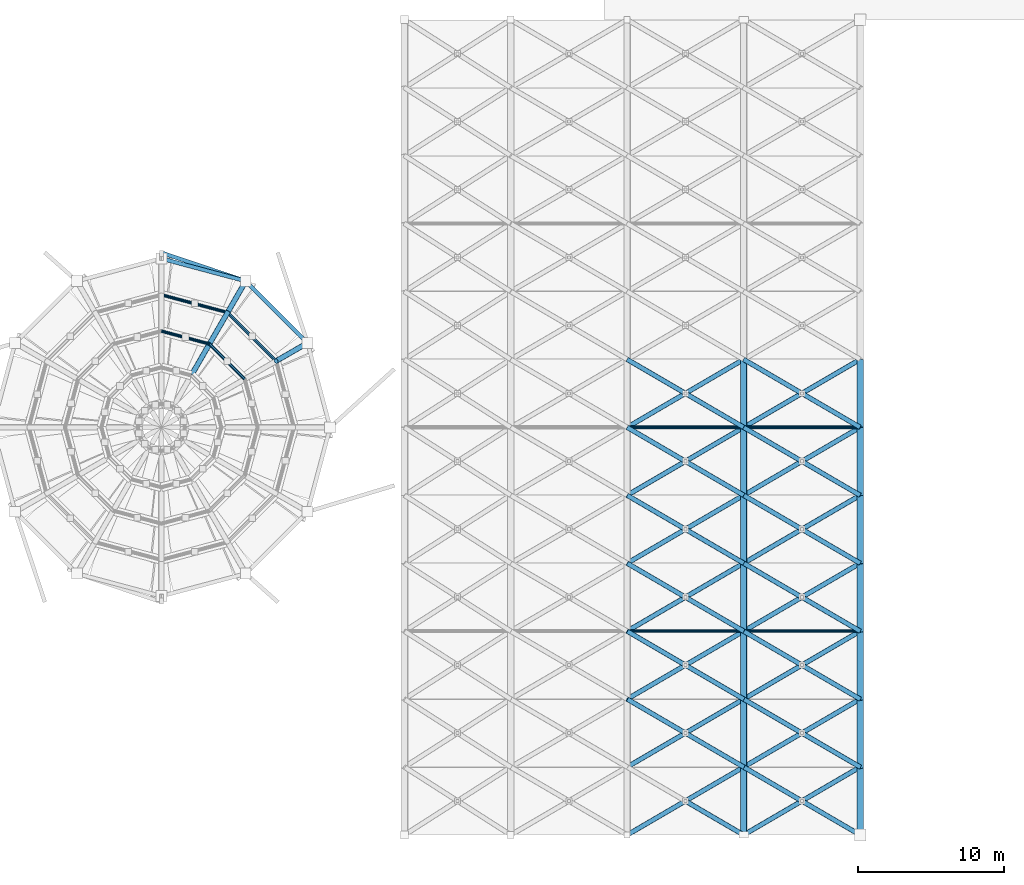
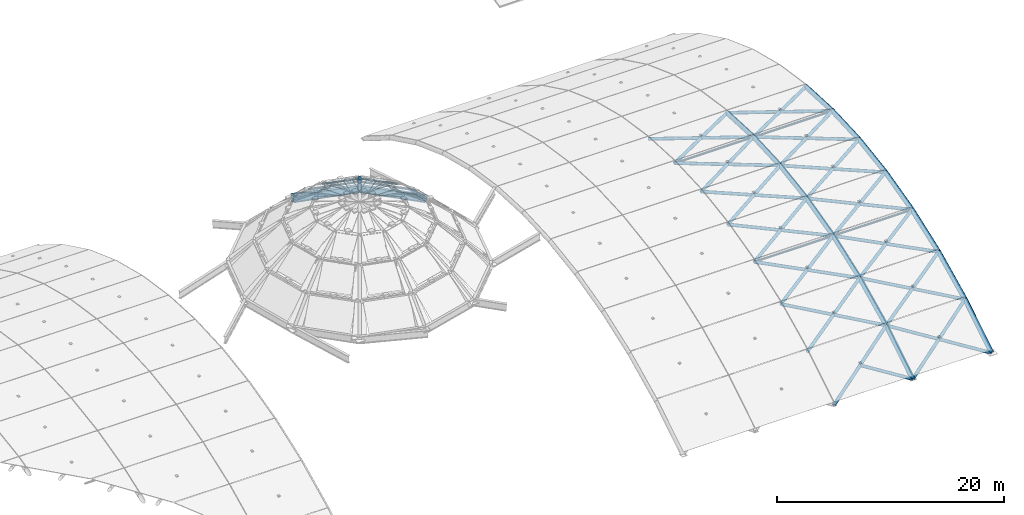
# One storey, part 9 of 21: 67 members, 3 beams.
"""IFC4 building model written with IfcOpenShell, lengths in metres."""

from ifc_helpers import new_model, si_unit, direction, frame, origin, origin_2d, place, context, subcontext, project, spatial, hollow_circle, i_section, extrude, material, material_profile, profile_set, type_object, element, save


model = new_model("IFC4")

# Units and contexts
model_context = context("Model", 3, precision=1e-05, world=origin(), true_north=direction((0.0, 1.0)))
body_context = subcontext(model_context, "Body", "Model", "MODEL_VIEW")
ifc_project = project(units=[si_unit("LENGTHUNIT", "METRE"), si_unit("AREAUNIT", "SQUARE_METRE"), si_unit("VOLUMEUNIT", "CUBIC_METRE"), si_unit("PLANEANGLEUNIT", "RADIAN"), si_unit("MASSUNIT", "GRAM", prefix="KILO")], contexts=[model_context])

# Site, building, storey
site_placement = place(None, origin())
site = spatial("IfcSite", under=ifc_project, at=site_placement, CompositionType="ELEMENT")
building_placement = place(site_placement, origin())
building = spatial("IfcBuilding", under=site, at=building_placement, Name="Solmirada Galleria", CompositionType="ELEMENT")
storey_placement = place(building_placement, frame((0.0, 0.0, 37.5)))
storey = spatial("IfcBuildingStorey", under=building, at=storey_placement, Name="RF", CompositionType="ELEMENT", Elevation=37.5)

# Beams
ifc_material_1 = material(Name="Steel S355 / ASTM A992 Grade 50", Category="steel")
ifc_material_profile_1 = material_profile(ifc_material_1, i_section(OverallWidth=0.26708984375, OverallDepth=0.779052734375, WebThickness=0.0166015625, FlangeThickness=0.030029296875, FilletRadius=0.01904296875, at=origin_2d()), Name="W30X148")
ifc_profile_set_1 = profile_set([ifc_material_profile_1], Name="Steel S355 / ASTM A992 Grade 50")
beam_type = type_object("IfcBeamType", Name="BM-DOME-RING", PredefinedType="BEAM", material=ifc_profile_set_1)
beam_1_placement = place(storey_placement, frame((106.0458984375, 65.800048828125, 0.0), z_axis=(-0.707106781187, 0.707106781187, 0.0), x_axis=(-0.707106781187, -0.707106781187, 0.0)))
element("IfcBeam", 1, at=beam_1_placement, inside=storey, type_object=beam_type, Name="Atrium dome tension ring beam 2", PredefinedType="BEAM", context=body_context, shape_type="SweptSolid", body=[
    extrude(i_section(OverallWidth=0.26708984375, OverallDepth=0.779052734375, WebThickness=0.0166015625, FlangeThickness=0.030029296875, FilletRadius=0.01904296875, at=origin_2d()), origin(), (0.0, 0.0, 1.0), 6.004638671875),
])
beam_2_placement = place(storey_placement, frame((96.0, 72.0, -0.14990234375), z_axis=(0.947377090434, -0.319181977179, 0.024484974261), x_axis=(0.319277697246, 0.947661201085, 0.0)))
element("IfcBeam", 2, at=beam_2_placement, inside=storey, type_object=beam_type, Name="Atrium dome drum anchor beam 3", PredefinedType="BEAM", context=body_context, shape_type="SweptSolid", body=[
    extrude(i_section(OverallWidth=0.26708984375, OverallDepth=0.779052734375, WebThickness=0.0166015625, FlangeThickness=0.030029296875, FilletRadius=0.01904296875, at=origin_2d()), origin(), (0.0, 0.0, 1.0), 6.122314453125),
])
beam_3_placement = place(storey_placement, frame((101.800048828125, 70.0458984375, 0.0), z_axis=(-0.965922461362, 0.258831602855, 0.0), x_axis=(-0.258831602855, -0.965922461362, 0.0)))
element("IfcBeam", 3, at=beam_3_placement, inside=storey, type_object=beam_type, Name="Atrium dome tension ring beam 3", PredefinedType="BEAM", context=body_context, shape_type="SweptSolid", body=[
    extrude(i_section(OverallWidth=0.26708984375, OverallDepth=0.779052734375, WebThickness=0.0166015625, FlangeThickness=0.030029296875, FilletRadius=0.01904296875, at=origin_2d()), origin(), (0.0, 0.0, 1.0), 6.004638671875),
])

# Members
ifc_material_2 = material(Name="Steel S355 / ASTM A500 Grade C", Category="steel")
ifc_material_profile_2 = material_profile(ifc_material_2, hollow_circle(Radius=0.109619140625, WallThickness=0.007568359375, at=origin_2d()), Name="HSS8.625X0.322")
ifc_profile_set_2 = profile_set([ifc_material_profile_2], Name="Steel S355 / ASTM A500 Grade C")
member_type_1 = type_object("IfcMemberType", Name="MEM-DOME-PURL", PredefinedType="PURLIN", material=ifc_profile_set_2)
for number, where, z_axis, x_axis, name in (
    (4, (128.0, 46.0, -2.471923828125), (1.0, 0.0, 0.0), (0.0, 1.0, 0.0), "Barrel gridshell longitudinal tie E02-03"),
    (5, (128.0, 60.0, -0.360107421875), (1.0, 0.0, 0.0), (0.0, 1.0, 0.0), "Barrel gridshell longitudinal tie E02-06"),
    (6, (136.0, 46.0, -2.471923828125), (1.0, 0.0, 0.0), (0.0, 1.0, 0.0), "Barrel gridshell longitudinal tie E03-03"),
    (7, (136.0, 60.0, -0.360107421875), (1.0, 0.0, 0.0), (0.0, 1.0, 0.0), "Barrel gridshell longitudinal tie E03-06"),
):
    element("IfcMember", number, at=place(storey_placement, frame(where, z_axis=z_axis, x_axis=x_axis)), inside=storey, type_object=member_type_1, Name=name, PredefinedType="PURLIN", context=body_context, shape_type="SweptSolid", body=[
        extrude(hollow_circle(Radius=0.109619140625, WallThickness=0.007568359375, at=origin_2d()), origin(), (0.0, 0.0, 1.0), 8.0),
    ])
for number, where, z_axis, x_axis, name in (
    (8, (103.885986328125, 64.552978515625, 2.4873046875), (-0.707106781187, 0.707106781187, 0.0), (-0.707106781187, -0.707106781187, 0.0), "Atrium dome latitude ring purlin 2.1"),
    (9, (100.552978515625, 67.885986328125, 2.4873046875), (-0.965925625449, 0.258819794647, 0.0), (-0.258819794647, -0.965925625449, 0.0), "Atrium dome latitude ring purlin 3.1"),
):
    element("IfcMember", number, at=place(storey_placement, frame(where, z_axis=z_axis, x_axis=x_axis)), inside=storey, type_object=member_type_1, Name=name, PredefinedType="PURLIN", context=body_context, shape_type="SweptSolid", body=[
        extrude(hollow_circle(Radius=0.109619140625, WallThickness=0.007568359375, at=origin_2d()), origin(), (0.0, 0.0, 1.0), 4.713623046875),
    ])
member_1_placement = place(storey_placement, frame((101.726318359375, 63.305908203125, 4.59619140625), z_axis=(-0.707106781187, 0.707106781187, 0.0), x_axis=(-0.707106781187, -0.707106781187, 0.0)))
element("IfcMember", 10, at=member_1_placement, inside=storey, type_object=member_type_1, Name="Atrium dome latitude ring purlin 2.2", PredefinedType="PURLIN", context=body_context, shape_type="SweptSolid", body=[
    extrude(hollow_circle(Radius=0.109619140625, WallThickness=0.007568359375, at=origin_2d()), origin(), (0.0, 0.0, 1.0), 3.423095703125),
])
member_2_placement = place(storey_placement, frame((99.305908203125, 65.726318359375, 4.59619140625), z_axis=(-0.965931176381, 0.258799077462, 0.0), x_axis=(-0.258799077462, -0.965931176381, 0.0)))
element("IfcMember", 11, at=member_2_placement, inside=storey, type_object=member_type_1, Name="Atrium dome latitude ring purlin 3.2", PredefinedType="PURLIN", context=body_context, shape_type="SweptSolid", body=[
    extrude(hollow_circle(Radius=0.109619140625, WallThickness=0.007568359375, at=origin_2d()), origin(), (0.0, 0.0, 1.0), 3.422607421875),
])
ifc_material_profile_3 = material_profile(ifc_material_2, hollow_circle(Radius=0.177978515625, WallThickness=0.01171875, at=origin_2d()), Name="HSS14.000X0.500")
ifc_profile_set_3 = profile_set([ifc_material_profile_3], Name="Steel S355 / ASTM A500 Grade C")
member_type_2 = type_object("IfcMemberType", Name="MEM-DOME-RIB", PredefinedType="RAFTER", material=ifc_profile_set_3)
for number, where, z_axis, x_axis, name in (
    (12, (106.0458984375, 65.800048828125, 0.0), (-0.613198558699, -0.354042979296, 0.706145237484), (0.500013374061, -0.866017682129, 0.0), "Atrium dome meridian rib 2.1"),
    (13, (101.800048828125, 70.0458984375, 0.0), (-0.354042979296, -0.613198558699, 0.706145237484), (0.866017682129, -0.500013374061, 0.0), "Atrium dome meridian rib 3.1"),
):
    element("IfcMember", number, at=place(storey_placement, frame(where, z_axis=z_axis, x_axis=x_axis)), inside=storey, type_object=member_type_2, Name=name, PredefinedType="RAFTER", context=body_context, shape_type="SweptSolid", body=[
        extrude(hollow_circle(Radius=0.177978515625, WallThickness=0.01171875, at=origin_2d()), origin(), (0.0, 0.0, 1.0), 3.5224609375),
    ])
member_3_placement = place(storey_placement, frame((100.552978515625, 67.885986328125, 2.4873046875), z_axis=(-0.381834191915, -0.661257882083, 0.645709426343), x_axis=(0.865993205636, -0.500055764683, 0.0)))
element("IfcMember", 14, at=member_3_placement, inside=storey, type_object=member_type_2, Name="Atrium dome meridian rib 3.2", PredefinedType="RAFTER", context=body_context, shape_type="SweptSolid", body=[
    extrude(hollow_circle(Radius=0.177978515625, WallThickness=0.01171875, at=origin_2d()), origin(), (0.0, 0.0, 1.0), 3.26611328125),
])
member_4_placement = place(storey_placement, frame((99.305908203125, 65.726318359375, 4.59619140625), z_axis=(-0.435280679452, -0.754048985924, 0.491874838676), x_axis=(0.866060068719, -0.499939953764, 0.0)))
element("IfcMember", 15, at=member_4_placement, inside=storey, type_object=member_type_2, Name="Atrium dome meridian rib 3.3", PredefinedType="RAFTER", context=body_context, shape_type="SweptSolid", body=[
    extrude(hollow_circle(Radius=0.177978515625, WallThickness=0.01171875, at=origin_2d()), origin(), (0.0, 0.0, 1.0), 2.864501953125),
])
ifc_material_profile_4 = material_profile(ifc_material_2, hollow_circle(Radius=0.228515625, WallThickness=0.01171875, at=origin_2d()), Name="HSS18.000X0.500")
ifc_profile_set_4 = profile_set([ifc_material_profile_4], Name="Steel S355 / ASTM A500 Grade C")
member_type_3 = type_object("IfcMemberType", Name="MEM-VAULT-ARCH2", PredefinedType="RAFTER", material=ifc_profile_set_4)
member_5_placement = place(storey_placement, frame((136.0, 32.0, -9.360107421875), z_axis=(0.0, 0.847856236134, 0.53022618084), x_axis=(-1.0, 0.0, 0.0)))
element("IfcMember", 16, at=member_5_placement, inside=storey, type_object=member_type_3, Name="Barrel vault arch rib E03-00", PredefinedType="RAFTER", context=body_context, shape_type="SweptSolid", body=[
    extrude(hollow_circle(Radius=0.228515625, WallThickness=0.01171875, at=origin_2d()), origin(), (0.0, 0.0, 1.0), 5.504150390625),
])
member_6_placement = place(storey_placement, frame((136.0, 36.666748046875, -6.441650390625), z_axis=(0.0, 0.899303609311, 0.437324842971), x_axis=(-1.0, 0.0, 0.0)))
element("IfcMember", 17, at=member_6_placement, inside=storey, type_object=member_type_3, Name="Barrel vault arch rib E03-01", PredefinedType="RAFTER", context=body_context, shape_type="SweptSolid", body=[
    extrude(hollow_circle(Radius=0.228515625, WallThickness=0.01171875, at=origin_2d()), origin(), (0.0, 0.0, 1.0), 5.18896484375),
])
member_7_placement = place(storey_placement, frame((136.0, 41.333251953125, -4.17236328125), z_axis=(0.0, 0.939570777515, 0.342354719612), x_axis=(-1.0, 0.0, 0.0)))
element("IfcMember", 18, at=member_7_placement, inside=storey, type_object=member_type_3, Name="Barrel vault arch rib E03-02", PredefinedType="RAFTER", context=body_context, shape_type="SweptSolid", body=[
    extrude(hollow_circle(Radius=0.228515625, WallThickness=0.01171875, at=origin_2d()), origin(), (0.0, 0.0, 1.0), 4.966796875),
])
member_8_placement = place(storey_placement, frame((136.0, 46.0, -2.471923828125), z_axis=(0.0, 0.969334768515, 0.245743985782), x_axis=(-1.0, 0.0, 0.0)))
element("IfcMember", 19, at=member_8_placement, inside=storey, type_object=member_type_3, Name="Barrel vault arch rib E03-03", PredefinedType="RAFTER", context=body_context, shape_type="SweptSolid", body=[
    extrude(hollow_circle(Radius=0.228515625, WallThickness=0.01171875, at=origin_2d()), origin(), (0.0, 0.0, 1.0), 4.814453125),
])
member_9_placement = place(storey_placement, frame((136.0, 50.666748046875, -1.288818359375), z_axis=(0.0, 0.988997751156, 0.14793055198), x_axis=(-1.0, 0.0, 0.0)))
element("IfcMember", 20, at=member_9_placement, inside=storey, type_object=member_type_3, Name="Barrel vault arch rib E03-04", PredefinedType="RAFTER", context=body_context, shape_type="SweptSolid", body=[
    extrude(hollow_circle(Radius=0.228515625, WallThickness=0.01171875, at=origin_2d()), origin(), (0.0, 0.0, 1.0), 4.718505859375),
])
for number, where, z_axis, x_axis, name in (
    (21, (136.0, 55.333251953125, -0.5908203125), (0.0, 0.998780196655, 0.049377310271), (-1.0, 0.0, 0.0), "Barrel vault arch rib E03-05"),
    (22, (136.0, 60.0, -0.360107421875), (0.0, 0.998780196655, -0.049377310271), (-1.0, 0.0, 0.0), "Barrel vault arch rib E03-06"),
):
    element("IfcMember", number, at=place(storey_placement, frame(where, z_axis=z_axis, x_axis=x_axis)), inside=storey, type_object=member_type_3, Name=name, PredefinedType="RAFTER", context=body_context, shape_type="SweptSolid", body=[
        extrude(hollow_circle(Radius=0.228515625, WallThickness=0.01171875, at=origin_2d()), origin(), (0.0, 0.0, 1.0), 4.67236328125),
    ])
member_10_placement = place(storey_placement, frame((144.0, 32.0, -9.360107421875), z_axis=(0.0, 0.847856236134, 0.53022618084), x_axis=(-1.0, 0.0, 0.0)))
element("IfcMember", 23, at=member_10_placement, inside=storey, type_object=member_type_3, Name="Barrel vault arch rib E04-00", PredefinedType="RAFTER", context=body_context, shape_type="SweptSolid", body=[
    extrude(hollow_circle(Radius=0.228515625, WallThickness=0.01171875, at=origin_2d()), origin(), (0.0, 0.0, 1.0), 5.504150390625),
])
member_11_placement = place(storey_placement, frame((144.0, 36.666748046875, -6.441650390625), z_axis=(0.0, 0.899303609311, 0.437324842971), x_axis=(-1.0, 0.0, 0.0)))
element("IfcMember", 24, at=member_11_placement, inside=storey, type_object=member_type_3, Name="Barrel vault arch rib E04-01", PredefinedType="RAFTER", context=body_context, shape_type="SweptSolid", body=[
    extrude(hollow_circle(Radius=0.228515625, WallThickness=0.01171875, at=origin_2d()), origin(), (0.0, 0.0, 1.0), 5.18896484375),
])
member_12_placement = place(storey_placement, frame((144.0, 41.333251953125, -4.17236328125), z_axis=(0.0, 0.939570777515, 0.342354719612), x_axis=(-1.0, 0.0, 0.0)))
element("IfcMember", 25, at=member_12_placement, inside=storey, type_object=member_type_3, Name="Barrel vault arch rib E04-02", PredefinedType="RAFTER", context=body_context, shape_type="SweptSolid", body=[
    extrude(hollow_circle(Radius=0.228515625, WallThickness=0.01171875, at=origin_2d()), origin(), (0.0, 0.0, 1.0), 4.966796875),
])
member_13_placement = place(storey_placement, frame((144.0, 46.0, -2.471923828125), z_axis=(0.0, 0.969334768515, 0.245743985782), x_axis=(-1.0, 0.0, 0.0)))
element("IfcMember", 26, at=member_13_placement, inside=storey, type_object=member_type_3, Name="Barrel vault arch rib E04-03", PredefinedType="RAFTER", context=body_context, shape_type="SweptSolid", body=[
    extrude(hollow_circle(Radius=0.228515625, WallThickness=0.01171875, at=origin_2d()), origin(), (0.0, 0.0, 1.0), 4.814453125),
])
member_14_placement = place(storey_placement, frame((144.0, 50.666748046875, -1.288818359375), z_axis=(0.0, 0.988997751156, 0.14793055198), x_axis=(-1.0, 0.0, 0.0)))
element("IfcMember", 27, at=member_14_placement, inside=storey, type_object=member_type_3, Name="Barrel vault arch rib E04-04", PredefinedType="RAFTER", context=body_context, shape_type="SweptSolid", body=[
    extrude(hollow_circle(Radius=0.228515625, WallThickness=0.01171875, at=origin_2d()), origin(), (0.0, 0.0, 1.0), 4.718505859375),
])
for number, where, z_axis, x_axis, name in (
    (28, (144.0, 55.333251953125, -0.5908203125), (0.0, 0.998780196655, 0.049377310271), (-1.0, 0.0, 0.0), "Barrel vault arch rib E04-05"),
    (29, (144.0, 60.0, -0.360107421875), (0.0, 0.998780196655, -0.049377310271), (-1.0, 0.0, 0.0), "Barrel vault arch rib E04-06"),
):
    element("IfcMember", number, at=place(storey_placement, frame(where, z_axis=z_axis, x_axis=x_axis)), inside=storey, type_object=member_type_3, Name=name, PredefinedType="RAFTER", context=body_context, shape_type="SweptSolid", body=[
        extrude(hollow_circle(Radius=0.228515625, WallThickness=0.01171875, at=origin_2d()), origin(), (0.0, 0.0, 1.0), 4.67236328125),
    ])
ifc_material_profile_5 = material_profile(ifc_material_2, hollow_circle(Radius=0.162109375, WallThickness=0.0087890625, at=origin_2d()), Name="HSS12.750X0.375")
ifc_profile_set_5 = profile_set([ifc_material_profile_5], Name="Steel S355 / ASTM A500 Grade C")
member_type_4 = type_object("IfcMemberType", Name="MEM-VAULT-DIAG", PredefinedType="BRACE", material=ifc_profile_set_5)
member_15_placement = place(storey_placement, frame((128.0, 32.0, -9.360107421875), z_axis=(0.823841216452, 0.480582423477, 0.300543148849), x_axis=(-0.503877581445, 0.863775076578, 0.0)))
element("IfcMember", 30, at=member_15_placement, inside=storey, type_object=member_type_4, Name="Barrel gridshell continuous diagonal E02-00", PredefinedType="BRACE", context=body_context, shape_type="SweptSolid", body=[
    extrude(hollow_circle(Radius=0.162109375, WallThickness=0.0087890625, at=origin_2d()), origin(), (0.0, 0.0, 1.0), 9.710693359375),
])
member_16_placement = place(storey_placement, frame((132.0, 34.333251953125, -7.90087890625), z_axis=(0.823851170541, -0.480563088187, -0.300546780171), x_axis=(0.503857913421, 0.863786549492, 0.0)))
element("IfcMember", 31, at=member_16_placement, inside=storey, type_object=member_type_4, Name="Barrel gridshell split diagonal B2 E02-00", PredefinedType="BRACE", context=body_context, shape_type="SweptSolid", body=[
    extrude(hollow_circle(Radius=0.162109375, WallThickness=0.0087890625, at=origin_2d()), origin(), (0.0, 0.0, 1.0), 4.855224609375),
])
member_17_placement = place(storey_placement, frame((128.0, 36.666748046875, -6.441650390625), z_axis=(0.838969414701, 0.489381756366, 0.237982809743), x_axis=(-0.503857913421, 0.863786549492, 0.0)))
element("IfcMember", 32, at=member_17_placement, inside=storey, type_object=member_type_4, Name="Barrel gridshell continuous diagonal E02-01", PredefinedType="BRACE", context=body_context, shape_type="SweptSolid", body=[
    extrude(hollow_circle(Radius=0.162109375, WallThickness=0.0087890625, at=origin_2d()), origin(), (0.0, 0.0, 1.0), 9.535400390625),
])
for number, where, z_axis, x_axis, name in (
    (33, (128.0, 41.333251953125, -4.17236328125), (0.838974526438, -0.489384738108, -0.237958656272), (0.503857913421, 0.863786549492, 0.0), "Barrel gridshell split diagonal B1 E02-01"),
    (34, (132.0, 39.0, -5.306884765625), (0.838964302507, -0.489378774357, -0.238006962772), (0.503857913421, 0.863786549492, 0.0), "Barrel gridshell split diagonal B2 E02-01"),
):
    element("IfcMember", number, at=place(storey_placement, frame(where, z_axis=z_axis, x_axis=x_axis)), inside=storey, type_object=member_type_4, Name=name, PredefinedType="BRACE", context=body_context, shape_type="SweptSolid", body=[
        extrude(hollow_circle(Radius=0.162109375, WallThickness=0.0087890625, at=origin_2d()), origin(), (0.0, 0.0, 1.0), 4.767822265625),
    ])
member_18_placement = place(storey_placement, frame((128.0, 41.333251953125, -4.17236328125), z_axis=(0.84957466948, 0.495593866184, 0.180581285795), x_axis=(-0.503877581445, 0.863775076578, 0.0)))
element("IfcMember", 35, at=member_18_placement, inside=storey, type_object=member_type_4, Name="Barrel gridshell continuous diagonal E02-02", PredefinedType="BRACE", context=body_context, shape_type="SweptSolid", body=[
    extrude(hollow_circle(Radius=0.162109375, WallThickness=0.0087890625, at=origin_2d()), origin(), (0.0, 0.0, 1.0), 9.41650390625),
])
for number, where, z_axis, x_axis, name in (
    (36, (128.0, 46.0, -2.471923828125), (0.849581607741, -0.4955719864, -0.18060868773), (0.503857913421, 0.863786549492, 0.0), "Barrel gridshell split diagonal B1 E02-02"),
    (37, (132.0, 43.666748046875, -3.322265625), (0.849567730246, -0.495615744977, -0.180553884077), (0.503897248685, 0.863763603521, 0.0), "Barrel gridshell split diagonal B2 E02-02"),
):
    element("IfcMember", number, at=place(storey_placement, frame(where, z_axis=z_axis, x_axis=x_axis)), inside=storey, type_object=member_type_4, Name=name, PredefinedType="BRACE", context=body_context, shape_type="SweptSolid", body=[
        extrude(hollow_circle(Radius=0.162109375, WallThickness=0.0087890625, at=origin_2d()), origin(), (0.0, 0.0, 1.0), 4.708251953125),
    ])
member_19_placement = place(storey_placement, frame((128.0, 46.0, -2.471923828125), z_axis=(0.856812609173, 0.499816071299, 0.126712460451), x_axis=(-0.503877581445, 0.863775076578, 0.0)))
element("IfcMember", 38, at=member_19_placement, inside=storey, type_object=member_type_4, Name="Barrel gridshell continuous diagonal E02-03", PredefinedType="BRACE", context=body_context, shape_type="SweptSolid", body=[
    extrude(hollow_circle(Radius=0.162109375, WallThickness=0.0087890625, at=origin_2d()), origin(), (0.0, 0.0, 1.0), 9.3369140625),
])
for number, where, z_axis, x_axis, name in (
    (39, (128.0, 50.666748046875, -1.288818359375), (0.856801411318, -0.499835686608, -0.12671080442), (0.503897248685, 0.863763603521, 0.0), "Barrel gridshell split diagonal B1 E02-03"),
    (40, (132.0, 48.333251953125, -1.88037109375), (0.856823806881, -0.499796455222, -0.126714116459), (0.503857913421, 0.863786549492, 0.0), "Barrel gridshell split diagonal B2 E02-03"),
):
    element("IfcMember", number, at=place(storey_placement, frame(where, z_axis=z_axis, x_axis=x_axis)), inside=storey, type_object=member_type_4, Name=name, PredefinedType="BRACE", context=body_context, shape_type="SweptSolid", body=[
        extrude(hollow_circle(Radius=0.162109375, WallThickness=0.0087890625, at=origin_2d()), origin(), (0.0, 0.0, 1.0), 4.66845703125),
    ])
member_20_placement = place(storey_placement, frame((128.0, 50.666748046875, -1.288818359375), z_axis=(0.861343836227, 0.502433047047, 0.075152039422), x_axis=(-0.503857913421, 0.863786549492, 0.0)))
element("IfcMember", 41, at=member_20_placement, inside=storey, type_object=member_type_4, Name="Barrel gridshell continuous diagonal E02-04", PredefinedType="BRACE", context=body_context, shape_type="SweptSolid", body=[
    extrude(hollow_circle(Radius=0.162109375, WallThickness=0.0087890625, at=origin_2d()), origin(), (0.0, 0.0, 1.0), 9.287841796875),
])
for number, where, z_axis, x_axis, name in (
    (42, (128.0, 55.333251953125, -0.5908203125), (0.861345537481, -0.502434039411, -0.075125901676), (0.503857913421, 0.863786549492, 0.0), "Barrel gridshell split diagonal B1 E02-04"),
    (43, (132.0, 53.0, -0.939697265625), (0.861342134387, -0.502432054342, -0.075178177013), (0.503857913421, 0.863786549492, 0.0), "Barrel gridshell split diagonal B2 E02-04"),
):
    element("IfcMember", number, at=place(storey_placement, frame(where, z_axis=z_axis, x_axis=x_axis)), inside=storey, type_object=member_type_4, Name=name, PredefinedType="BRACE", context=body_context, shape_type="SweptSolid", body=[
        extrude(hollow_circle(Radius=0.162109375, WallThickness=0.0087890625, at=origin_2d()), origin(), (0.0, 0.0, 1.0), 4.643798828125),
    ])
member_21_placement = place(storey_placement, frame((128.0, 55.333251953125, -0.5908203125), z_axis=(0.863507200646, 0.50372131776, 0.024902780292), x_axis=(-0.503877581445, 0.863775076578, 0.0)))
element("IfcMember", 44, at=member_21_placement, inside=storey, type_object=member_type_4, Name="Barrel gridshell continuous diagonal E02-05", PredefinedType="BRACE", context=body_context, shape_type="SweptSolid", body=[
    extrude(hollow_circle(Radius=0.162109375, WallThickness=0.0087890625, at=origin_2d()), origin(), (0.0, 0.0, 1.0), 9.2646484375),
])
for number, where, z_axis, x_axis, name in (
    (45, (128.0, 60.0, -0.360107421875), (0.863519229282, -0.503701982071, -0.024876774672), (0.503857913421, 0.863786549492, 0.0), "Barrel gridshell split diagonal B1 E02-05"),
    (46, (132.0, 57.666748046875, -0.475341796875), (0.863495171314, -0.503740652308, -0.024928785158), (0.503897248685, 0.863763603521, 0.0), "Barrel gridshell split diagonal B2 E02-05"),
):
    element("IfcMember", number, at=place(storey_placement, frame(where, z_axis=z_axis, x_axis=x_axis)), inside=storey, type_object=member_type_4, Name=name, PredefinedType="BRACE", context=body_context, shape_type="SweptSolid", body=[
        extrude(hollow_circle(Radius=0.162109375, WallThickness=0.0087890625, at=origin_2d()), origin(), (0.0, 0.0, 1.0), 4.63232421875),
    ])
member_22_placement = place(storey_placement, frame((128.0, 60.0, -0.360107421875), z_axis=(0.863507200646, 0.50372131776, -0.024902780292), x_axis=(-0.503877581445, 0.863775076578, 0.0)))
element("IfcMember", 47, at=member_22_placement, inside=storey, type_object=member_type_4, Name="Barrel gridshell continuous diagonal E02-06", PredefinedType="BRACE", context=body_context, shape_type="SweptSolid", body=[
    extrude(hollow_circle(Radius=0.162109375, WallThickness=0.0087890625, at=origin_2d()), origin(), (0.0, 0.0, 1.0), 9.2646484375),
])
for number, where, z_axis, x_axis, name in (
    (48, (128.0, 64.666748046875, -0.5908203125), (0.863518095898, -0.503701320953, 0.024929446982), (0.503857913421, 0.863786549492, 0.0), "Barrel gridshell split diagonal B1 E02-06"),
    (49, (132.0, 62.33349609375, -0.475341796875), (0.863496304608, -0.503741313442, 0.024876114244), (0.503897248685, 0.863763603521, 0.0), "Barrel gridshell split diagonal B2 E02-06"),
):
    element("IfcMember", number, at=place(storey_placement, frame(where, z_axis=z_axis, x_axis=x_axis)), inside=storey, type_object=member_type_4, Name=name, PredefinedType="BRACE", context=body_context, shape_type="SweptSolid", body=[
        extrude(hollow_circle(Radius=0.162109375, WallThickness=0.0087890625, at=origin_2d()), origin(), (0.0, 0.0, 1.0), 4.63232421875),
    ])
member_23_placement = place(storey_placement, frame((136.0, 32.0, -9.360107421875), z_axis=(0.823841216452, 0.480582423477, 0.300543148849), x_axis=(-0.503877581445, 0.863775076578, 0.0)))
element("IfcMember", 50, at=member_23_placement, inside=storey, type_object=member_type_4, Name="Barrel gridshell continuous diagonal E03-00", PredefinedType="BRACE", context=body_context, shape_type="SweptSolid", body=[
    extrude(hollow_circle(Radius=0.162109375, WallThickness=0.0087890625, at=origin_2d()), origin(), (0.0, 0.0, 1.0), 9.710693359375),
])
member_24_placement = place(storey_placement, frame((136.0, 36.666748046875, -6.441650390625), z_axis=(0.823831262204, -0.480601758066, -0.300539517468), x_axis=(0.503897248685, 0.863763603521, 0.0)))
element("IfcMember", 51, at=member_24_placement, inside=storey, type_object=member_type_4, Name="Barrel gridshell split diagonal B1 E03-00", PredefinedType="BRACE", context=body_context, shape_type="SweptSolid", body=[
    extrude(hollow_circle(Radius=0.162109375, WallThickness=0.0087890625, at=origin_2d()), origin(), (0.0, 0.0, 1.0), 4.85546875),
])
member_25_placement = place(storey_placement, frame((140.0, 34.333251953125, -7.90087890625), z_axis=(0.823851170541, -0.480563088187, -0.300546780171), x_axis=(0.503857913421, 0.863786549492, 0.0)))
element("IfcMember", 52, at=member_25_placement, inside=storey, type_object=member_type_4, Name="Barrel gridshell split diagonal B2 E03-00", PredefinedType="BRACE", context=body_context, shape_type="SweptSolid", body=[
    extrude(hollow_circle(Radius=0.162109375, WallThickness=0.0087890625, at=origin_2d()), origin(), (0.0, 0.0, 1.0), 4.855224609375),
])
member_26_placement = place(storey_placement, frame((136.0, 36.666748046875, -6.441650390625), z_axis=(0.838969414701, 0.489381756366, 0.237982809743), x_axis=(-0.503857913421, 0.863786549492, 0.0)))
element("IfcMember", 53, at=member_26_placement, inside=storey, type_object=member_type_4, Name="Barrel gridshell continuous diagonal E03-01", PredefinedType="BRACE", context=body_context, shape_type="SweptSolid", body=[
    extrude(hollow_circle(Radius=0.162109375, WallThickness=0.0087890625, at=origin_2d()), origin(), (0.0, 0.0, 1.0), 9.535400390625),
])
for number, where, z_axis, x_axis, name in (
    (54, (136.0, 41.333251953125, -4.17236328125), (0.838974526438, -0.489384738108, -0.237958656272), (0.503857913421, 0.863786549492, 0.0), "Barrel gridshell split diagonal B1 E03-01"),
    (55, (140.0, 39.0, -5.306884765625), (0.838964302507, -0.489378774357, -0.238006962772), (0.503857913421, 0.863786549492, 0.0), "Barrel gridshell split diagonal B2 E03-01"),
):
    element("IfcMember", number, at=place(storey_placement, frame(where, z_axis=z_axis, x_axis=x_axis)), inside=storey, type_object=member_type_4, Name=name, PredefinedType="BRACE", context=body_context, shape_type="SweptSolid", body=[
        extrude(hollow_circle(Radius=0.162109375, WallThickness=0.0087890625, at=origin_2d()), origin(), (0.0, 0.0, 1.0), 4.767822265625),
    ])
member_27_placement = place(storey_placement, frame((136.0, 41.333251953125, -4.17236328125), z_axis=(0.84957466948, 0.495593866184, 0.180581285795), x_axis=(-0.503877581445, 0.863775076578, 0.0)))
element("IfcMember", 56, at=member_27_placement, inside=storey, type_object=member_type_4, Name="Barrel gridshell continuous diagonal E03-02", PredefinedType="BRACE", context=body_context, shape_type="SweptSolid", body=[
    extrude(hollow_circle(Radius=0.162109375, WallThickness=0.0087890625, at=origin_2d()), origin(), (0.0, 0.0, 1.0), 9.41650390625),
])
for number, where, z_axis, x_axis, name in (
    (57, (136.0, 46.0, -2.471923828125), (0.849581607741, -0.4955719864, -0.18060868773), (0.503857913421, 0.863786549492, 0.0), "Barrel gridshell split diagonal B1 E03-02"),
    (58, (140.0, 43.666748046875, -3.322265625), (0.849567730246, -0.495615744977, -0.180553884077), (0.503897248685, 0.863763603521, 0.0), "Barrel gridshell split diagonal B2 E03-02"),
):
    element("IfcMember", number, at=place(storey_placement, frame(where, z_axis=z_axis, x_axis=x_axis)), inside=storey, type_object=member_type_4, Name=name, PredefinedType="BRACE", context=body_context, shape_type="SweptSolid", body=[
        extrude(hollow_circle(Radius=0.162109375, WallThickness=0.0087890625, at=origin_2d()), origin(), (0.0, 0.0, 1.0), 4.708251953125),
    ])
member_28_placement = place(storey_placement, frame((136.0, 46.0, -2.471923828125), z_axis=(0.856812609173, 0.499816071299, 0.126712460451), x_axis=(-0.503877581445, 0.863775076578, 0.0)))
element("IfcMember", 59, at=member_28_placement, inside=storey, type_object=member_type_4, Name="Barrel gridshell continuous diagonal E03-03", PredefinedType="BRACE", context=body_context, shape_type="SweptSolid", body=[
    extrude(hollow_circle(Radius=0.162109375, WallThickness=0.0087890625, at=origin_2d()), origin(), (0.0, 0.0, 1.0), 9.3369140625),
])
for number, where, z_axis, x_axis, name in (
    (60, (136.0, 50.666748046875, -1.288818359375), (0.856801411318, -0.499835686608, -0.12671080442), (0.503897248685, 0.863763603521, 0.0), "Barrel gridshell split diagonal B1 E03-03"),
    (61, (140.0, 48.333251953125, -1.88037109375), (0.856823806881, -0.499796455222, -0.126714116459), (0.503857913421, 0.863786549492, 0.0), "Barrel gridshell split diagonal B2 E03-03"),
):
    element("IfcMember", number, at=place(storey_placement, frame(where, z_axis=z_axis, x_axis=x_axis)), inside=storey, type_object=member_type_4, Name=name, PredefinedType="BRACE", context=body_context, shape_type="SweptSolid", body=[
        extrude(hollow_circle(Radius=0.162109375, WallThickness=0.0087890625, at=origin_2d()), origin(), (0.0, 0.0, 1.0), 4.66845703125),
    ])
member_29_placement = place(storey_placement, frame((136.0, 50.666748046875, -1.288818359375), z_axis=(0.861343836227, 0.502433047047, 0.075152039422), x_axis=(-0.503857913421, 0.863786549492, 0.0)))
element("IfcMember", 62, at=member_29_placement, inside=storey, type_object=member_type_4, Name="Barrel gridshell continuous diagonal E03-04", PredefinedType="BRACE", context=body_context, shape_type="SweptSolid", body=[
    extrude(hollow_circle(Radius=0.162109375, WallThickness=0.0087890625, at=origin_2d()), origin(), (0.0, 0.0, 1.0), 9.287841796875),
])
for number, where, z_axis, x_axis, name in (
    (63, (136.0, 55.333251953125, -0.5908203125), (0.861345537481, -0.502434039411, -0.075125901676), (0.503857913421, 0.863786549492, 0.0), "Barrel gridshell split diagonal B1 E03-04"),
    (64, (140.0, 53.0, -0.939697265625), (0.861342134387, -0.502432054342, -0.075178177013), (0.503857913421, 0.863786549492, 0.0), "Barrel gridshell split diagonal B2 E03-04"),
):
    element("IfcMember", number, at=place(storey_placement, frame(where, z_axis=z_axis, x_axis=x_axis)), inside=storey, type_object=member_type_4, Name=name, PredefinedType="BRACE", context=body_context, shape_type="SweptSolid", body=[
        extrude(hollow_circle(Radius=0.162109375, WallThickness=0.0087890625, at=origin_2d()), origin(), (0.0, 0.0, 1.0), 4.643798828125),
    ])
member_30_placement = place(storey_placement, frame((136.0, 55.333251953125, -0.5908203125), z_axis=(0.863507200646, 0.50372131776, 0.024902780292), x_axis=(-0.503877581445, 0.863775076578, 0.0)))
element("IfcMember", 65, at=member_30_placement, inside=storey, type_object=member_type_4, Name="Barrel gridshell continuous diagonal E03-05", PredefinedType="BRACE", context=body_context, shape_type="SweptSolid", body=[
    extrude(hollow_circle(Radius=0.162109375, WallThickness=0.0087890625, at=origin_2d()), origin(), (0.0, 0.0, 1.0), 9.2646484375),
])
for number, where, z_axis, x_axis, name in (
    (66, (136.0, 60.0, -0.360107421875), (0.863519229282, -0.503701982071, -0.024876774672), (0.503857913421, 0.863786549492, 0.0), "Barrel gridshell split diagonal B1 E03-05"),
    (67, (140.0, 57.666748046875, -0.475341796875), (0.863495171314, -0.503740652308, -0.024928785158), (0.503897248685, 0.863763603521, 0.0), "Barrel gridshell split diagonal B2 E03-05"),
):
    element("IfcMember", number, at=place(storey_placement, frame(where, z_axis=z_axis, x_axis=x_axis)), inside=storey, type_object=member_type_4, Name=name, PredefinedType="BRACE", context=body_context, shape_type="SweptSolid", body=[
        extrude(hollow_circle(Radius=0.162109375, WallThickness=0.0087890625, at=origin_2d()), origin(), (0.0, 0.0, 1.0), 4.63232421875),
    ])
member_31_placement = place(storey_placement, frame((136.0, 60.0, -0.360107421875), z_axis=(0.863507200646, 0.50372131776, -0.024902780292), x_axis=(-0.503877581445, 0.863775076578, 0.0)))
element("IfcMember", 68, at=member_31_placement, inside=storey, type_object=member_type_4, Name="Barrel gridshell continuous diagonal E03-06", PredefinedType="BRACE", context=body_context, shape_type="SweptSolid", body=[
    extrude(hollow_circle(Radius=0.162109375, WallThickness=0.0087890625, at=origin_2d()), origin(), (0.0, 0.0, 1.0), 9.2646484375),
])
for number, where, z_axis, x_axis, name in (
    (69, (136.0, 64.666748046875, -0.5908203125), (0.863518095898, -0.503701320953, 0.024929446982), (0.503857913421, 0.863786549492, 0.0), "Barrel gridshell split diagonal B1 E03-06"),
    (70, (140.0, 62.33349609375, -0.475341796875), (0.863496304608, -0.503741313442, 0.024876114244), (0.503897248685, 0.863763603521, 0.0), "Barrel gridshell split diagonal B2 E03-06"),
):
    element("IfcMember", number, at=place(storey_placement, frame(where, z_axis=z_axis, x_axis=x_axis)), inside=storey, type_object=member_type_4, Name=name, PredefinedType="BRACE", context=body_context, shape_type="SweptSolid", body=[
        extrude(hollow_circle(Radius=0.162109375, WallThickness=0.0087890625, at=origin_2d()), origin(), (0.0, 0.0, 1.0), 4.63232421875),
    ])

save(model, "model.ifc")
